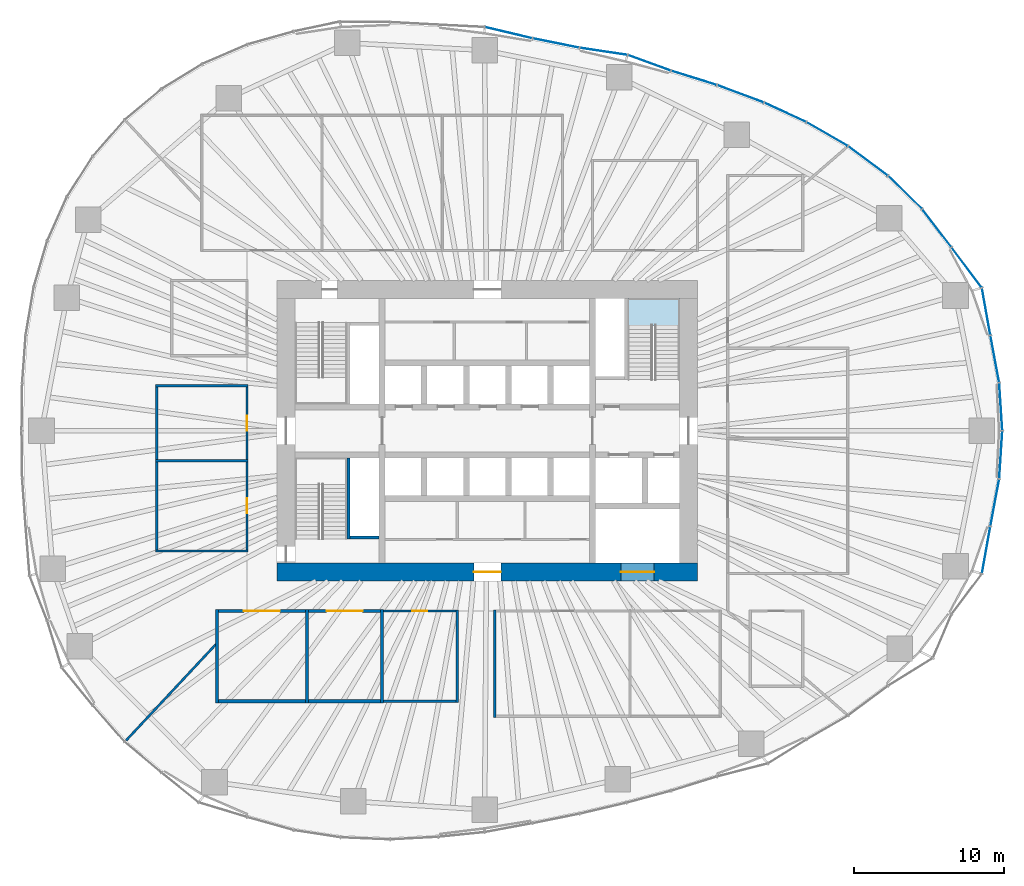
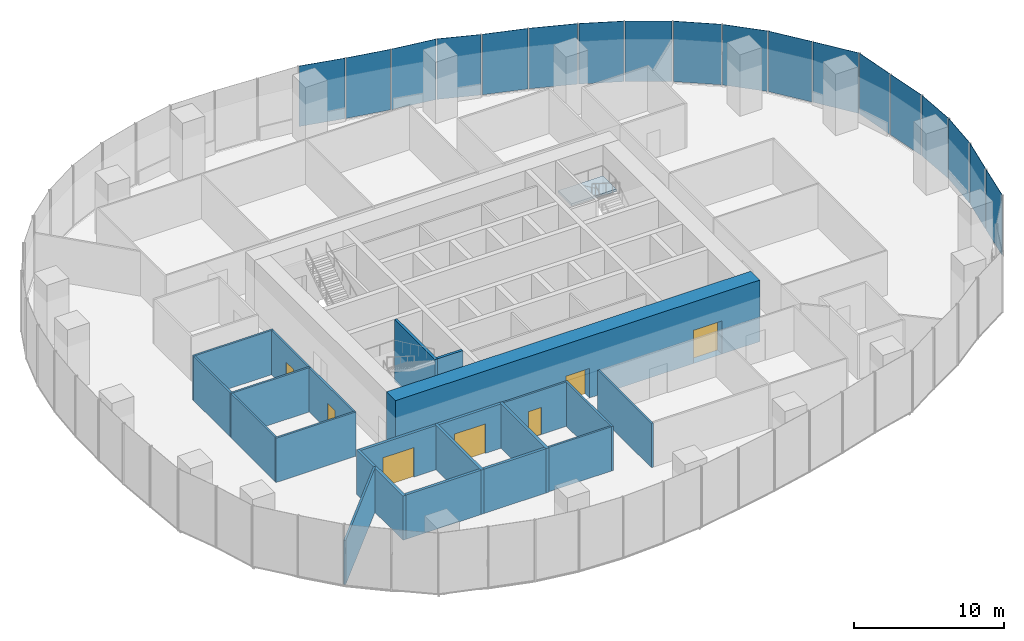
# One storey, part 9 of 20: 22 walls, 18 plates, 7 doors, 1 slab, 7 openings, 7 elements without a shape of their own.
"""IFC4 building model written with IfcOpenShell, lengths in metres."""

from ifc_helpers import new_model, si_unit, direction, frame, frame_2d, origin, origin_2d, place, context, subcontext, project, spatial, polyline, rectangle, outline, extrude, material, layer, layer_set, type_object, element, fill, aggregate, save


model = new_model("IFC4")

# Units and contexts
model_context = context("Model", 3, precision=1e-05, world=origin(), true_north=direction((0.0, 1.0)))
body_context = subcontext(model_context, "Body", "Model", "MODEL_VIEW")
ifc_project = project(units=[si_unit("LENGTHUNIT", "METRE"), si_unit("AREAUNIT", "SQUARE_METRE"), si_unit("VOLUMEUNIT", "CUBIC_METRE"), si_unit("PLANEANGLEUNIT", "RADIAN"), si_unit("MASSUNIT", "GRAM", prefix="KILO")], contexts=[model_context])

# Site, building, storey
site_placement = place(None, origin())
site = spatial("IfcSite", under=ifc_project, at=site_placement, CompositionType="ELEMENT")
building_placement = place(site_placement, origin())
building = spatial("IfcBuilding", under=site, at=building_placement, Name="Ghaith Harvest Tower", CompositionType="ELEMENT")
storey_placement = place(building_placement, frame((0.0, 0.0, 65.0)))
storey = spatial("IfcBuildingStorey", under=building, at=storey_placement, Name="L13", CompositionType="ELEMENT", Elevation=65.0)

# Curtain wall, plates
ifc_material_1 = material(Name="Black anodised aluminium and fritted glass", Category="aluminium")
curtain_wall_type = type_object("IfcCurtainWallType", Name="CW-F CURTAIN WALL", PredefinedType="NOTDEFINED", material=ifc_material_1)
curtain_wall_1_placement = place(storey_placement, origin())
curtain_wall_1 = element("IfcCurtainWall", 1, at=curtain_wall_1_placement, inside=storey, type_object=curtain_wall_type, Name="Curtain wall CW-F bay 01 L13", PredefinedType="NOTDEFINED")
ifc_material_2 = material(Name="Glass, high-transmission fritted double glazed unit", Category="glass")
ifc_layer_1 = layer(ifc_material_2, 0.028076171875)
ifc_layer_set_1 = layer_set([ifc_layer_1], Name="CW-F VISION PANEL")
plate_type = type_object("IfcPlateType", Name="CW-F VISION PANEL", PredefinedType="CURTAIN_PANEL", material=ifc_layer_set_1)
plate_1_placement = place(storey_placement, frame((34.181396484375, 1.602783203125, 0.080078125), z_axis=(0.0, 0.0, 1.0), x_axis=(-0.064445645786, 0.997921218704, 0.0)))
plate_1 = element("IfcPlate", 2, at=plate_1_placement, type_object=plate_type, Name="CW-F panel 1 bay 01 L13", PredefinedType="CURTAIN_PANEL", context=body_context, shape_type="SweptSolid", body=[
    extrude(rectangle(XDim=3.132080078125, YDim=0.028076171875, at=origin_2d()), origin(), (0.0, 0.0, 1.0), 4.919921875),
])
plate_2_placement = place(storey_placement, frame((33.78369140625, 4.78076171875, 0.080078125), z_axis=(0.0, 0.0, 1.0), x_axis=(-0.183569249502, 0.983006780565, 0.0)))
plate_2 = element("IfcPlate", 3, at=plate_2_placement, type_object=plate_type, Name="CW-F panel 2 bay 01 L13", PredefinedType="CURTAIN_PANEL", context=body_context, shape_type="SweptSolid", body=[
    extrude(rectangle(XDim=3.12548828125, YDim=0.028076171875, at=origin_2d()), origin(), (0.0, 0.0, 1.0), 4.919921875),
])
plate_3_placement = place(storey_placement, frame((33.20654296875, 7.93603515625, 0.080078125), z_axis=(0.0, 0.0, 1.0), x_axis=(-0.176319663586, 0.984332960046, 0.0)))
plate_3 = element("IfcPlate", 4, at=plate_3_placement, type_object=plate_type, Name="CW-F panel 3 bay 01 L13", PredefinedType="CURTAIN_PANEL", context=body_context, shape_type="SweptSolid", body=[
    extrude(rectangle(XDim=3.129638671875, YDim=0.028076171875, at=origin_2d()), origin(), (0.0, 0.0, 1.0), 4.919921875),
])
aggregate(curtain_wall_1, [plate_1, plate_2, plate_3])

curtain_wall_2_placement = place(storey_placement, origin())
curtain_wall_2 = element("IfcCurtainWall", 5, at=curtain_wall_2_placement, inside=storey, type_object=curtain_wall_type, Name="Curtain wall CW-F bay 02 L13", PredefinedType="NOTDEFINED")
plate_4_placement = place(storey_placement, frame((31.91015625, 10.865234375, 0.080078125), z_axis=(0.0, 0.0, 1.0), x_axis=(-0.600454091192, 0.799659230154, 0.0)))
plate_4 = element("IfcPlate", 6, at=plate_4_placement, type_object=plate_type, Name="CW-F panel 1 bay 02 L13", PredefinedType="CURTAIN_PANEL", context=body_context, shape_type="SweptSolid", body=[
    extrude(rectangle(XDim=3.295654296875, YDim=0.028076171875, at=origin_2d()), origin(), (0.0, 0.0, 1.0), 4.919921875),
])
plate_5_placement = place(storey_placement, frame((29.921875, 13.4892578125, 0.080078125), z_axis=(0.0, 0.0, 1.0), x_axis=(-0.607611877494, 0.794234100457, 0.0)))
plate_5 = element("IfcPlate", 7, at=plate_5_placement, type_object=plate_type, Name="CW-F panel 2 bay 02 L13", PredefinedType="CURTAIN_PANEL", context=body_context, shape_type="SweptSolid", body=[
    extrude(rectangle(XDim=3.128662109375, YDim=0.028076171875, at=origin_2d()), origin(), (0.0, 0.0, 1.0), 4.919921875),
])
plate_6_placement = place(storey_placement, frame((27.810546875, 15.869384765625, 0.080078125), z_axis=(0.0, 0.0, 1.0), x_axis=(-0.716691335472, 0.69739051446, 0.0)))
plate_6 = element("IfcPlate", 8, at=plate_6_placement, type_object=plate_type, Name="CW-F panel 3 bay 02 L13", PredefinedType="CURTAIN_PANEL", context=body_context, shape_type="SweptSolid", body=[
    extrude(rectangle(XDim=3.092041015625, YDim=0.028076171875, at=origin_2d()), origin(), (0.0, 0.0, 1.0), 4.919921875),
])
aggregate(curtain_wall_2, [plate_4, plate_5, plate_6])

curtain_wall_3_placement = place(storey_placement, origin())
curtain_wall_3 = element("IfcCurtainWall", 9, at=curtain_wall_3_placement, inside=storey, type_object=curtain_wall_type, Name="Curtain wall CW-F bay 03 L13", PredefinedType="NOTDEFINED")
plate_7_placement = place(storey_placement, frame((25.34619140625, 17.96142578125, 0.080078125), z_axis=(0.0, 0.0, 1.0), x_axis=(-0.802866788578, 0.596158468697, 0.0)))
plate_7 = element("IfcPlate", 10, at=plate_7_placement, type_object=plate_type, Name="CW-F panel 1 bay 03 L13", PredefinedType="CURTAIN_PANEL", context=body_context, shape_type="SweptSolid", body=[
    extrude(rectangle(XDim=3.2275390625, YDim=0.028076171875, at=origin_2d()), origin(), (0.0, 0.0, 1.0), 4.919921875),
])
plate_8_placement = place(storey_placement, frame((22.626953125, 19.750244140625, 0.080078125), z_axis=(0.0, 0.0, 1.0), x_axis=(-0.866159208358, 0.499768172033, 0.0)))
plate_8 = element("IfcPlate", 11, at=plate_8_placement, type_object=plate_type, Name="CW-F panel 2 bay 03 L13", PredefinedType="CURTAIN_PANEL", context=body_context, shape_type="SweptSolid", body=[
    extrude(rectangle(XDim=3.1328125, YDim=0.028076171875, at=origin_2d()), origin(), (0.0, 0.0, 1.0), 4.919921875),
])
plate_9_placement = place(storey_placement, frame((19.8291015625, 21.19970703125, 0.080078125), z_axis=(0.0, 0.0, 1.0), x_axis=(-0.908529586897, 0.417820523351, 0.0)))
plate_9 = element("IfcPlate", 12, at=plate_9_placement, type_object=plate_type, Name="CW-F panel 3 bay 03 L13", PredefinedType="CURTAIN_PANEL", context=body_context, shape_type="SweptSolid", body=[
    extrude(rectangle(XDim=3.01611328125, YDim=0.028076171875, at=origin_2d()), origin(), (0.0, 0.0, 1.0), 4.919921875),
])
aggregate(curtain_wall_3, [plate_7, plate_8, plate_9])

curtain_wall_4_placement = place(storey_placement, origin())
curtain_wall_4 = element("IfcCurtainWall", 13, at=curtain_wall_4_placement, inside=storey, type_object=curtain_wall_type, Name="Curtain wall CW-F bay 04 L13", PredefinedType="NOTDEFINED")
plate_10_placement = place(storey_placement, frame((16.85498046875, 22.431396484375, 0.080078125), z_axis=(0.0, 0.0, 1.0), x_axis=(-0.936926487964, 0.349526474178, 0.0)))
plate_10 = element("IfcPlate", 14, at=plate_10_placement, type_object=plate_type, Name="CW-F panel 1 bay 04 L13", PredefinedType="CURTAIN_PANEL", context=body_context, shape_type="SweptSolid", body=[
    extrude(rectangle(XDim=3.26611328125, YDim=0.028076171875, at=origin_2d()), origin(), (0.0, 0.0, 1.0), 4.919921875),
])
plate_11_placement = place(storey_placement, frame((13.760986328125, 23.490234375, 0.080078125), z_axis=(0.0, 0.0, 1.0), x_axis=(-0.954988265421, 0.296643578911, 0.0)))
plate_11 = element("IfcPlate", 15, at=plate_11_placement, type_object=plate_type, Name="CW-F panel 2 bay 04 L13", PredefinedType="CURTAIN_PANEL", context=body_context, shape_type="SweptSolid", body=[
    extrude(rectangle(XDim=3.1171875, YDim=0.028076171875, at=origin_2d()), origin(), (0.0, 0.0, 1.0), 4.919921875),
])
plate_12_placement = place(storey_placement, frame((10.793212890625, 24.490234375, 0.080078125), z_axis=(0.0, 0.0, 1.0), x_axis=(-0.939438435482, 0.342717705902, 0.0)))
plate_12 = element("IfcPlate", 16, at=plate_12_placement, type_object=plate_type, Name="CW-F panel 3 bay 04 L13", PredefinedType="CURTAIN_PANEL", context=body_context, shape_type="SweptSolid", body=[
    extrude(rectangle(XDim=2.98828125, YDim=0.028076171875, at=origin_2d()), origin(), (0.0, 0.0, 1.0), 4.919921875),
])
aggregate(curtain_wall_4, [plate_10, plate_11, plate_12])

curtain_wall_5_placement = place(storey_placement, origin())
curtain_wall_5 = element("IfcCurtainWall", 17, at=curtain_wall_5_placement, inside=storey, type_object=curtain_wall_type, Name="Curtain wall CW-F bay 05 L13", PredefinedType="NOTDEFINED")
plate_13_placement = place(storey_placement, frame((7.744384765625, 25.255615234375, 0.080078125), z_axis=(0.0, 0.0, 1.0), x_axis=(-0.989074249382, 0.147418211935, 0.0)))
plate_13 = element("IfcPlate", 18, at=plate_13_placement, type_object=plate_type, Name="CW-F panel 1 bay 05 L13", PredefinedType="CURTAIN_PANEL", context=body_context, shape_type="SweptSolid", body=[
    extrude(rectangle(XDim=3.17041015625, YDim=0.028076171875, at=origin_2d()), origin(), (0.0, 0.0, 1.0), 4.919921875),
])
plate_14_placement = place(storey_placement, frame((4.5732421875, 25.809326171875, 0.080078125), z_axis=(0.0, 0.0, 1.0), x_axis=(-0.980432348069, 0.196856320344, 0.0)))
plate_14 = element("IfcPlate", 19, at=plate_14_placement, type_object=plate_type, Name="CW-F panel 2 bay 05 L13", PredefinedType="CURTAIN_PANEL", context=body_context, shape_type="SweptSolid", body=[
    extrude(rectangle(XDim=3.1103515625, YDim=0.028076171875, at=origin_2d()), origin(), (0.0, 0.0, 1.0), 4.919921875),
])
plate_15_placement = place(storey_placement, frame((1.41259765625, 26.500244140625, 0.080078125), z_axis=(0.0, 0.0, 1.0), x_axis=(-0.97324595378, 0.229765779545, 0.0)))
plate_15 = element("IfcPlate", 20, at=plate_15_placement, type_object=plate_type, Name="CW-F panel 3 bay 05 L13", PredefinedType="CURTAIN_PANEL", context=body_context, shape_type="SweptSolid", body=[
    extrude(rectangle(XDim=3.200927734375, YDim=0.028076171875, at=origin_2d()), origin(), (0.0, 0.0, 1.0), 4.919921875),
])
aggregate(curtain_wall_5, [plate_13, plate_14, plate_15])

curtain_wall_6_placement = place(storey_placement, origin())
curtain_wall_6 = element("IfcCurtainWall", 21, at=curtain_wall_6_placement, inside=storey, type_object=curtain_wall_type, Name="Curtain wall CW-F bay 20 L13", PredefinedType="NOTDEFINED")
plate_16_placement = place(storey_placement, frame((33.20654296875, -7.93603515625, 0.080078125), z_axis=(0.0, 0.0, 1.0), x_axis=(0.176319663878, 0.984332959994, 0.0)))
plate_16 = element("IfcPlate", 22, at=plate_16_placement, type_object=plate_type, Name="CW-F panel 1 bay 20 L13", PredefinedType="CURTAIN_PANEL", context=body_context, shape_type="SweptSolid", body=[
    extrude(rectangle(XDim=3.129638671875, YDim=0.028076171875, at=origin_2d()), origin(), (0.0, 0.0, 1.0), 4.919921875),
])
plate_17_placement = place(storey_placement, frame((33.78369140625, -4.78076171875, 0.080078125), z_axis=(0.0, 0.0, 1.0), x_axis=(0.183569249777, 0.983006780514, 0.0)))
plate_17 = element("IfcPlate", 23, at=plate_17_placement, type_object=plate_type, Name="CW-F panel 2 bay 20 L13", PredefinedType="CURTAIN_PANEL", context=body_context, shape_type="SweptSolid", body=[
    extrude(rectangle(XDim=3.12548828125, YDim=0.028076171875, at=origin_2d()), origin(), (0.0, 0.0, 1.0), 4.919921875),
])
plate_18_placement = place(storey_placement, frame((34.181396484375, -1.602783203125, 0.080078125), z_axis=(0.0, 0.0, 1.0), x_axis=(0.064445645891, 0.997921218697, 0.0)))
plate_18 = element("IfcPlate", 24, at=plate_18_placement, type_object=plate_type, Name="CW-F panel 3 bay 20 L13", PredefinedType="CURTAIN_PANEL", context=body_context, shape_type="SweptSolid", body=[
    extrude(rectangle(XDim=3.132080078125, YDim=0.028076171875, at=origin_2d()), origin(), (0.0, 0.0, 1.0), 4.919921875),
])
aggregate(curtain_wall_6, [plate_16, plate_17, plate_18])

# Stair, slab
ifc_material_3 = material(Name="Concrete C40/50, precast", Category="concrete")
stair_type = type_object("IfcStairType", Name="CORE STAIR 28R", PredefinedType="HALF_TURN_STAIR", material=ifc_material_3)
stair_placement = place(storey_placement, origin())
stair = element("IfcStair", 25, at=stair_placement, inside=storey, type_object=stair_type, Name="Stair ST2 L13", PredefinedType="HALF_TURN_STAIR")
ifc_material_4 = material(Name="Concrete C40/50, precast", Category="concrete")
ifc_layer_2 = layer(ifc_material_4, 0.179931640625)
ifc_layer_set_2 = layer_set([ifc_layer_2], Name="STAIR LANDING 180")
slab_type = type_object("IfcSlabType", Name="STAIR LANDING 180", PredefinedType="LANDING", material=ifc_layer_set_2)
slab_placement = place(storey_placement, frame((0.0, 0.0, 2.320068359375)))
slab = element("IfcSlab", 26, at=slab_placement, type_object=slab_type, Name="ST2 landing 1", PredefinedType="LANDING", context=body_context, shape_type="SweptSolid", body=[
    extrude(outline(polyline([(12.800048828125, 7.02001953125), (12.800048828125, 8.800048828125), (9.35009765625, 8.800048828125), (9.35009765625, 7.02001953125), (12.800048828125, 7.02001953125)])), origin(), (0.0, 0.0, 1.0), 0.179931640625),
])
aggregate(stair, [slab])

# Walls
ifc_material_5 = material(Name="Concrete blockwork, 1-hour", Category="masonry")
ifc_layer_3 = layer(ifc_material_5, 0.215087890625)
ifc_layer_set_3 = layer_set([ifc_layer_3], Name="BLOCKWORK WALL 215")
wall_type_1 = type_object("IfcWallType", Name="BLOCKWORK WALL 215", PredefinedType="PARTITIONING", material=ifc_layer_set_3)
for number, where, z_axis, x_axis, name in (
    (27, (-18.0, -11.892578125, 0.0), (0.0, 0.0, 1.0), (0.0, -1.0, 0.0), "Partition L13 row S5 cross wall 1"),
    (28, (-12.0, -11.892578125, 0.0), (0.0, 0.0, 1.0), (0.0, -1.0, 0.0), "Partition L13 row S5 cross wall 2"),
    (29, (-7.0, -11.892578125, 0.0), (0.0, 0.0, 1.0), (0.0, -1.0, 0.0), "Partition L13 row S5 cross wall 3"),
):
    element("IfcWall", number, at=place(storey_placement, frame(where, z_axis=z_axis, x_axis=x_axis)), inside=storey, type_object=wall_type_1, Name=name, PredefinedType="PARTITIONING", context=body_context, shape_type="SweptSolid", body=[
        extrude(rectangle(XDim=6.21484375, YDim=0.215087890625, at=frame_2d((3.107421875, 0.0))), origin(), (0.0, 0.0, 1.0), 3.60009765625),
    ])

# Wall, opening, door
wall_1_placement = place(storey_placement, frame((-17.892578125, -12.0, 0.0), z_axis=(0.0, 0.0, 1.0), x_axis=(1.0, 0.0, 0.0)))
wall_1 = element("IfcWall", 30, at=wall_1_placement, inside=storey, type_object=wall_type_1, Name="Partition L13-09", PredefinedType="PARTITIONING", context=body_context, shape_type="SweptSolid", body=[
    extrude(rectangle(XDim=5.78515625, YDim=0.215087890625, at=frame_2d((2.892578125, 0.0))), origin(), (0.0, 0.0, 1.0), 3.60009765625),
])
opening_1_placement = place(wall_1_placement, frame((1.6923828125, 0.0, 0.0)))
opening_1 = element("IfcOpeningElement", 31, at=opening_1_placement, cuts=wall_1, Name="Opening 13-031", PredefinedType="OPENING", context=body_context, shape_type="SweptSolid", body=[
    extrude(rectangle(XDim=2.39990234375, YDim=2.39990234375, at=frame_2d((1.199951171875, 1.199951171875))), frame((0.0, 0.11767578125, 0.0), z_axis=(0.0, -1.0, 0.0), x_axis=(1.0, 0.0, 0.0)), (0.0, 0.0, 1.0), 0.235107421875),
])
ifc_material_6 = material(Name="Timber door", Category="wood")
door_type_1 = type_object("IfcDoorType", Name="D10 PLANT PAIR 2400x2400", OperationType="DOUBLE_DOOR_SINGLE_SWING", PredefinedType="DOOR", material=ifc_material_6)
door_1_placement = place(opening_1_placement, origin())
door_1 = element("IfcDoor", 32, at=door_1_placement, inside=storey, type_object=door_type_1, Name="Nutrient tank room door", OperationType="DOUBLE_DOOR_SINGLE_SWING", OverallHeight=2.39990234375, OverallWidth=2.39990234375, PredefinedType="DOOR", context=body_context, shape_type="SweptSolid", body=[
    extrude(rectangle(XDim=2.39990234375, YDim=2.39990234375, at=frame_2d((1.199951171875, 1.199951171875))), frame((0.0, 0.02490234375, 0.0), z_axis=(0.0, -1.0, 0.0), x_axis=(1.0, 0.0, 0.0)), (0.0, 0.0, 1.0), 0.050048828125),
])
fill(opening_1, door_1)

# Wall
wall_2_placement = place(storey_placement, frame((-17.892578125, -18.0, 0.0), z_axis=(0.0, 0.0, 1.0), x_axis=(1.0, 0.0, 0.0)))
element("IfcWall", 33, at=wall_2_placement, inside=storey, type_object=wall_type_1, Name="Partition L13-09", PredefinedType="PARTITIONING", context=body_context, shape_type="SweptSolid", body=[
    extrude(rectangle(XDim=5.78515625, YDim=0.215087890625, at=frame_2d((2.892578125, 0.0))), origin(), (0.0, 0.0, 1.0), 3.60009765625),
])

# Wall, opening, door
wall_3_placement = place(storey_placement, frame((-11.892578125, -12.0, 0.0), z_axis=(0.0, 0.0, 1.0), x_axis=(1.0, 0.0, 0.0)))
wall_3 = element("IfcWall", 34, at=wall_3_placement, inside=storey, type_object=wall_type_1, Name="Partition L13-10", PredefinedType="PARTITIONING", context=body_context, shape_type="SweptSolid", body=[
    extrude(rectangle(XDim=4.78515625, YDim=0.215087890625, at=frame_2d((2.392578125, 0.0))), origin(), (0.0, 0.0, 1.0), 3.60009765625),
])
opening_2_placement = place(wall_3_placement, frame((1.1923828125, 0.0, 0.0)))
opening_2 = element("IfcOpeningElement", 35, at=opening_2_placement, cuts=wall_3, Name="Opening 13-032", PredefinedType="OPENING", context=body_context, shape_type="SweptSolid", body=[
    extrude(rectangle(XDim=2.39990234375, YDim=2.39990234375, at=frame_2d((1.199951171875, 1.199951171875))), frame((0.0, 0.11767578125, 0.0), z_axis=(0.0, -1.0, 0.0), x_axis=(1.0, 0.0, 0.0)), (0.0, 0.0, 1.0), 0.235107421875),
])
door_2_placement = place(opening_2_placement, origin())
door_2 = element("IfcDoor", 36, at=door_2_placement, inside=storey, type_object=door_type_1, Name="Pump room door", OperationType="DOUBLE_DOOR_SINGLE_SWING", OverallHeight=2.39990234375, OverallWidth=2.39990234375, PredefinedType="DOOR", context=body_context, shape_type="SweptSolid", body=[
    extrude(rectangle(XDim=2.39990234375, YDim=2.39990234375, at=frame_2d((1.199951171875, 1.199951171875))), frame((0.0, 0.02490234375, 0.0), z_axis=(0.0, -1.0, 0.0), x_axis=(1.0, 0.0, 0.0)), (0.0, 0.0, 1.0), 0.050048828125),
])
fill(opening_2, door_2)

# Wall
wall_4_placement = place(storey_placement, frame((-11.892578125, -18.0, 0.0), z_axis=(0.0, 0.0, 1.0), x_axis=(1.0, 0.0, 0.0)))
element("IfcWall", 37, at=wall_4_placement, inside=storey, type_object=wall_type_1, Name="Partition L13-10", PredefinedType="PARTITIONING", context=body_context, shape_type="SweptSolid", body=[
    extrude(rectangle(XDim=4.78515625, YDim=0.215087890625, at=frame_2d((2.392578125, 0.0))), origin(), (0.0, 0.0, 1.0), 3.60009765625),
])

# Wall, openings, doors
ifc_material_7 = material(Name="Concrete C70/85", Category="concrete")
ifc_layer_4 = layer(ifc_material_7, 1.199951171875)
ifc_layer_set_4 = layer_set([ifc_layer_4], Name="CORE WALL CW1200")
wall_type_2 = type_object("IfcWallType", Name="CORE WALL CW1200", PredefinedType="SHEAR", material=ifc_layer_set_4)
wall_5_placement = place(storey_placement, frame((-14.0, -9.39990234375, 0.0), z_axis=(0.0, 0.0, 1.0), x_axis=(1.0, 0.0, 0.0)))
wall_5 = element("IfcWall", 38, at=wall_5_placement, inside=storey, type_object=wall_type_2, Name="Core wall S L13", PredefinedType="SHEAR", context=body_context, shape_type="SweptSolid", body=[
    extrude(rectangle(XDim=28.0, YDim=1.199951171875, at=frame_2d((14.0, 0.0))), origin(), (0.0, 0.0, 1.0), 5.0),
])
opening_3_placement = place(wall_5_placement, frame((13.10009765625, 0.0, 0.0)))
opening_3 = element("IfcOpeningElement", 39, at=opening_3_placement, cuts=wall_5, Name="Opening 13-015", PredefinedType="OPENING", context=body_context, shape_type="SweptSolid", body=[
    extrude(rectangle(XDim=1.800048828125, YDim=2.39990234375, at=frame_2d((0.89990234375, 1.199951171875))), frame((0.0, 0.60986328125, 0.0), z_axis=(0.0, -1.0, 0.0), x_axis=(1.0, 0.0, 0.0)), (0.0, 0.0, 1.0), 1.219970703125),
])
opening_4_placement = place(wall_5_placement, frame((22.89990234375, 0.0, 0.0)))
opening_4 = element("IfcOpeningElement", 40, at=opening_4_placement, cuts=wall_5, Name="Opening 13-022", PredefinedType="OPENING", context=body_context, shape_type="SweptSolid", body=[
    extrude(rectangle(XDim=2.199951171875, YDim=2.699951171875, at=frame_2d((1.10009765625, 1.35009765625))), frame((0.0, 0.60986328125, 0.0), z_axis=(0.0, -1.0, 0.0), x_axis=(1.0, 0.0, 0.0)), (0.0, 0.0, 1.0), 1.219970703125),
])
ifc_material_8 = material(Name="Steel fire door", Category="steel")
door_type_2 = type_object("IfcDoorType", Name="D4 FD90 PAIR 1800x2400", OperationType="DOUBLE_DOOR_SINGLE_SWING", PredefinedType="DOOR", material=ifc_material_8)
door_3_placement = place(opening_3_placement, origin())
door_3 = element("IfcDoor", 41, at=door_3_placement, inside=storey, type_object=door_type_2, Name="Core service corridor doors", OperationType="DOUBLE_DOOR_SINGLE_SWING", OverallHeight=2.39990234375, OverallWidth=1.800048828125, PredefinedType="DOOR", context=body_context, shape_type="SweptSolid", body=[
    extrude(rectangle(XDim=1.800048828125, YDim=2.39990234375, at=frame_2d((0.89990234375, 1.199951171875))), frame((0.0, 0.02490234375, 0.0), z_axis=(0.0, -1.0, 0.0), x_axis=(1.0, 0.0, 0.0)), (0.0, 0.0, 1.0), 0.050048828125),
])
fill(opening_3, door_3)
ifc_material_9 = material(Name="Steel fire door", Category="steel")
door_type_3 = type_object("IfcDoorType", Name="LD3 LANDING 2200x2700", OperationType="DOUBLE_DOOR_SLIDING", PredefinedType="DOOR", material=ifc_material_9)
door_4_placement = place(opening_4_placement, origin())
door_4 = element("IfcDoor", 42, at=door_4_placement, inside=storey, type_object=door_type_3, Name="Landing door, goods lift GL1", OperationType="DOUBLE_DOOR_SLIDING", OverallHeight=2.699951171875, OverallWidth=2.199951171875, PredefinedType="DOOR", context=body_context, shape_type="SweptSolid", body=[
    extrude(rectangle(XDim=2.199951171875, YDim=2.699951171875, at=frame_2d((1.10009765625, 1.35009765625))), frame((0.0, 0.02490234375, 0.0), z_axis=(0.0, -1.0, 0.0), x_axis=(1.0, 0.0, 0.0)), (0.0, 0.0, 1.0), 0.050048828125),
])
fill(opening_4, door_4)

# Walls
ifc_material_10 = material(Name="Gypsum board on steel studs", Category="steel")
ifc_layer_5 = layer(ifc_material_10, 0.14990234375)
ifc_layer_set_5 = layer_set([ifc_layer_5], Name="PARTITION 150")
wall_type_3 = type_object("IfcWallType", Name="PARTITION 150", PredefinedType="PARTITIONING", material=ifc_layer_set_5)
for number, where, z_axis, x_axis, name in (
    (43, (-15.925048828125, -8.0, 0.0), (0.0, 0.0, 1.0), (-1.0, 0.0, 0.0), "Partition L13 row W4 cross wall 1"),
    (44, (-15.925048828125, -2.0, 0.0), (0.0, 0.0, 1.0), (-1.0, 0.0, 0.0), "Partition L13 row W4 cross wall 2"),
    (45, (-15.925048828125, 3.0, 0.0), (0.0, 0.0, 1.0), (-1.0, 0.0, 0.0), "Partition L13 row W4 cross wall 3"),
):
    element("IfcWall", number, at=place(storey_placement, frame(where, z_axis=z_axis, x_axis=x_axis)), inside=storey, type_object=wall_type_3, Name=name, PredefinedType="PARTITIONING", context=body_context, shape_type="SweptSolid", body=[
        extrude(rectangle(XDim=6.14990234375, YDim=0.14990234375, at=frame_2d((3.074951171875, 0.0))), origin(), (0.0, 0.0, 1.0), 3.60009765625),
    ])

# Wall, opening, door
wall_6_placement = place(storey_placement, frame((-16.0, -7.925048828125, 0.0), z_axis=(0.0, 0.0, 1.0), x_axis=(0.0, 1.0, 0.0)))
wall_6 = element("IfcWall", 46, at=wall_6_placement, inside=storey, type_object=wall_type_3, Name="Partition L13-07", PredefinedType="PARTITIONING", context=body_context, shape_type="SweptSolid", body=[
    extrude(rectangle(XDim=5.85009765625, YDim=0.14990234375, at=frame_2d((2.925048828125, 0.0))), origin(), (0.0, 0.0, 1.0), 3.60009765625),
])
opening_5_placement = place(wall_6_placement, frame((2.425048828125, 0.0, 0.0)))
opening_5 = element("IfcOpeningElement", 47, at=opening_5_placement, cuts=wall_6, Name="Opening 13-029", PredefinedType="OPENING", context=body_context, shape_type="SweptSolid", body=[
    extrude(rectangle(XDim=1.0, YDim=2.199951171875, at=frame_2d((0.5, 1.10009765625))), frame((0.0, 0.0849609375, 0.0), z_axis=(0.0, -1.0, 0.0), x_axis=(1.0, 0.0, 0.0)), (0.0, 0.0, 1.0), 0.169921875),
])
ifc_material_11 = material(Name="Timber door", Category="wood")
door_type_4 = type_object("IfcDoorType", Name="D1 SINGLE 1000x2200", OperationType="SINGLE_SWING_LEFT", PredefinedType="DOOR", material=ifc_material_11)
door_5_placement = place(opening_5_placement, origin())
door_5 = element("IfcDoor", 48, at=door_5_placement, inside=storey, type_object=door_type_4, Name="Drying room door", OperationType="SINGLE_SWING_LEFT", OverallHeight=2.199951171875, OverallWidth=1.0, PredefinedType="DOOR", context=body_context, shape_type="SweptSolid", body=[
    extrude(rectangle(XDim=1.0, YDim=2.199951171875, at=frame_2d((0.5, 1.10009765625))), frame((0.0, 0.02490234375, 0.0), z_axis=(0.0, -1.0, 0.0), x_axis=(1.0, 0.0, 0.0)), (0.0, 0.0, 1.0), 0.050048828125),
])
fill(opening_5, door_5)

# Wall
wall_7_placement = place(storey_placement, frame((-22.0, -7.925048828125, 0.0), z_axis=(0.0, 0.0, 1.0), x_axis=(0.0, 1.0, 0.0)))
element("IfcWall", 49, at=wall_7_placement, inside=storey, type_object=wall_type_3, Name="Partition L13-07", PredefinedType="PARTITIONING", context=body_context, shape_type="SweptSolid", body=[
    extrude(rectangle(XDim=5.85009765625, YDim=0.14990234375, at=frame_2d((2.925048828125, 0.0))), origin(), (0.0, 0.0, 1.0), 3.60009765625),
])

# Wall, opening, door
wall_8_placement = place(storey_placement, frame((-16.0, -1.925048828125, 0.0), z_axis=(0.0, 0.0, 1.0), x_axis=(0.0, 1.0, 0.0)))
wall_8 = element("IfcWall", 50, at=wall_8_placement, inside=storey, type_object=wall_type_3, Name="Partition L13-08", PredefinedType="PARTITIONING", context=body_context, shape_type="SweptSolid", body=[
    extrude(rectangle(XDim=4.85009765625, YDim=0.14990234375, at=frame_2d((2.425048828125, 0.0))), origin(), (0.0, 0.0, 1.0), 3.60009765625),
])
opening_6_placement = place(wall_8_placement, frame((1.925048828125, 0.0, 0.0)))
opening_6 = element("IfcOpeningElement", 51, at=opening_6_placement, cuts=wall_8, Name="Opening 13-030", PredefinedType="OPENING", context=body_context, shape_type="SweptSolid", body=[
    extrude(rectangle(XDim=1.0, YDim=2.199951171875, at=frame_2d((0.5, 1.10009765625))), frame((0.0, 0.0849609375, 0.0), z_axis=(0.0, -1.0, 0.0), x_axis=(1.0, 0.0, 0.0)), (0.0, 0.0, 1.0), 0.169921875),
])
door_6_placement = place(opening_6_placement, origin())
door_6 = element("IfcDoor", 52, at=door_6_placement, inside=storey, type_object=door_type_4, Name="Herb store door", OperationType="SINGLE_SWING_LEFT", OverallHeight=2.199951171875, OverallWidth=1.0, PredefinedType="DOOR", context=body_context, shape_type="SweptSolid", body=[
    extrude(rectangle(XDim=1.0, YDim=2.199951171875, at=frame_2d((0.5, 1.10009765625))), frame((0.0, 0.02490234375, 0.0), z_axis=(0.0, -1.0, 0.0), x_axis=(1.0, 0.0, 0.0)), (0.0, 0.0, 1.0), 0.050048828125),
])
fill(opening_6, door_6)

# Walls
wall_9_placement = place(storey_placement, frame((-22.0, -1.925048828125, 0.0), z_axis=(0.0, 0.0, 1.0), x_axis=(0.0, 1.0, 0.0)))
element("IfcWall", 53, at=wall_9_placement, inside=storey, type_object=wall_type_3, Name="Partition L13-08", PredefinedType="PARTITIONING", context=body_context, shape_type="SweptSolid", body=[
    extrude(rectangle(XDim=4.85009765625, YDim=0.14990234375, at=frame_2d((2.425048828125, 0.0))), origin(), (0.0, 0.0, 1.0), 3.60009765625),
])
wall_10_placement = place(storey_placement, frame((-2.0, -11.925048828125, 0.0), z_axis=(0.0, 0.0, 1.0), x_axis=(0.0, -1.0, 0.0)))
element("IfcWall", 54, at=wall_10_placement, inside=storey, type_object=wall_type_3, Name="Partition L13 row S5 cross wall 4", PredefinedType="PARTITIONING", context=body_context, shape_type="SweptSolid", body=[
    extrude(rectangle(XDim=6.14990234375, YDim=0.14990234375, at=frame_2d((3.074951171875, 0.0))), origin(), (0.0, 0.0, 1.0), 3.60009765625),
])

# Wall, opening, door
wall_11_placement = place(storey_placement, frame((-6.892578125, -12.0, 0.0), z_axis=(0.0, 0.0, 1.0), x_axis=(1.0, 0.0, 0.0)))
wall_11 = element("IfcWall", 55, at=wall_11_placement, inside=storey, type_object=wall_type_3, Name="Partition L13-11", PredefinedType="PARTITIONING", context=body_context, shape_type="SweptSolid", body=[
    extrude(rectangle(XDim=4.817626953125, YDim=0.14990234375, at=frame_2d((2.40869140625, 0.0))), origin(), (0.0, 0.0, 1.0), 3.60009765625),
])
opening_7_placement = place(wall_11_placement, frame((1.90869140625, 0.0, 0.0)))
opening_7 = element("IfcOpeningElement", 56, at=opening_7_placement, cuts=wall_11, Name="Opening 13-033", PredefinedType="OPENING", context=body_context, shape_type="SweptSolid", body=[
    extrude(rectangle(XDim=1.0, YDim=2.199951171875, at=frame_2d((0.5, 1.10009765625))), frame((0.0, 0.0849609375, 0.0), z_axis=(0.0, -1.0, 0.0), x_axis=(1.0, 0.0, 0.0)), (0.0, 0.0, 1.0), 0.169921875),
])
door_7_placement = place(opening_7_placement, origin())
door_7 = element("IfcDoor", 57, at=door_7_placement, inside=storey, type_object=door_type_4, Name="Seed store door", OperationType="SINGLE_SWING_LEFT", OverallHeight=2.199951171875, OverallWidth=1.0, PredefinedType="DOOR", context=body_context, shape_type="SweptSolid", body=[
    extrude(rectangle(XDim=1.0, YDim=2.199951171875, at=frame_2d((0.5, 1.10009765625))), frame((0.0, 0.02490234375, 0.0), z_axis=(0.0, -1.0, 0.0), x_axis=(1.0, 0.0, 0.0)), (0.0, 0.0, 1.0), 0.050048828125),
])
fill(opening_7, door_7)

# Walls
wall_12_placement = place(storey_placement, frame((-6.892578125, -18.0, 0.0), z_axis=(0.0, 0.0, 1.0), x_axis=(1.0, 0.0, 0.0)))
element("IfcWall", 58, at=wall_12_placement, inside=storey, type_object=wall_type_3, Name="Partition L13-11", PredefinedType="PARTITIONING", context=body_context, shape_type="SweptSolid", body=[
    extrude(rectangle(XDim=4.817626953125, YDim=0.14990234375, at=frame_2d((2.40869140625, 0.0))), origin(), (0.0, 0.0, 1.0), 3.60009765625),
])
wall_13_placement = place(storey_placement, frame((0.5, -11.925048828125, 0.0), z_axis=(0.0, 0.0, 1.0), x_axis=(0.0, -1.0, 0.0)))
element("IfcWall", 59, at=wall_13_placement, inside=storey, type_object=wall_type_3, Name="Partition L13 row S6 cross wall 1", PredefinedType="PARTITIONING", context=body_context, shape_type="SweptSolid", body=[
    extrude(rectangle(XDim=7.14990234375, YDim=0.14990234375, at=frame_2d((3.574951171875, 0.0))), origin(), (0.0, 0.0, 1.0), 3.60009765625),
])
wall_14_placement = place(storey_placement, frame((-18.02001953125, -14.1630859375, 0.0), z_axis=(0.0, 0.0, 1.0), x_axis=(-0.682521563847, -0.730865456075, 0.0)))
element("IfcWall", 60, at=wall_14_placement, inside=storey, type_object=wall_type_3, Name="Partition L13 zone division", PredefinedType="PARTITIONING", context=body_context, shape_type="SweptSolid", body=[
    extrude(rectangle(XDim=8.8125, YDim=0.14990234375, at=frame_2d((4.40625, 0.0))), origin(), (0.0, 0.0, 1.0), 3.60009765625),
])
ifc_material_12 = material(Name="Concrete C40/50", Category="concrete")
ifc_layer_6 = layer(ifc_material_12, 0.199951171875)
ifc_layer_set_6 = layer_set([ifc_layer_6], Name="STAIR SPINE WALL RC200")
wall_type_4 = type_object("IfcWallType", Name="STAIR SPINE WALL RC200", PredefinedType="SOLIDWALL", material=ifc_layer_set_6)
wall_15_placement = place(storey_placement, frame((-9.25, -7.199951171875, 0.0), z_axis=(0.0, 0.0, 1.0), x_axis=(0.0, 1.0, 0.0)))
element("IfcWall", 61, at=wall_15_placement, inside=storey, type_object=wall_type_4, Name="Stair ST3 spine wall L13", PredefinedType="SOLIDWALL", context=body_context, shape_type="SweptSolid", body=[
    extrude(rectangle(XDim=5.39990234375, YDim=0.199951171875, at=frame_2d((2.699951171875, 0.0))), origin(), (0.0, 0.0, 1.0), 5.0),
])
wall_16_placement = place(storey_placement, frame((-9.14990234375, -7.10009765625, 0.0), z_axis=(0.0, 0.0, 1.0), x_axis=(1.0, 0.0, 0.0)))
element("IfcWall", 62, at=wall_16_placement, inside=storey, type_object=wall_type_4, Name="Stair ST3 spine wall return L13", PredefinedType="SOLIDWALL", context=body_context, shape_type="SweptSolid", body=[
    extrude(rectangle(XDim=1.949951171875, YDim=0.199951171875, at=frame_2d((0.97509765625, 0.0))), origin(), (0.0, 0.0, 1.0), 5.0),
])

save(model, "model.ifc")
